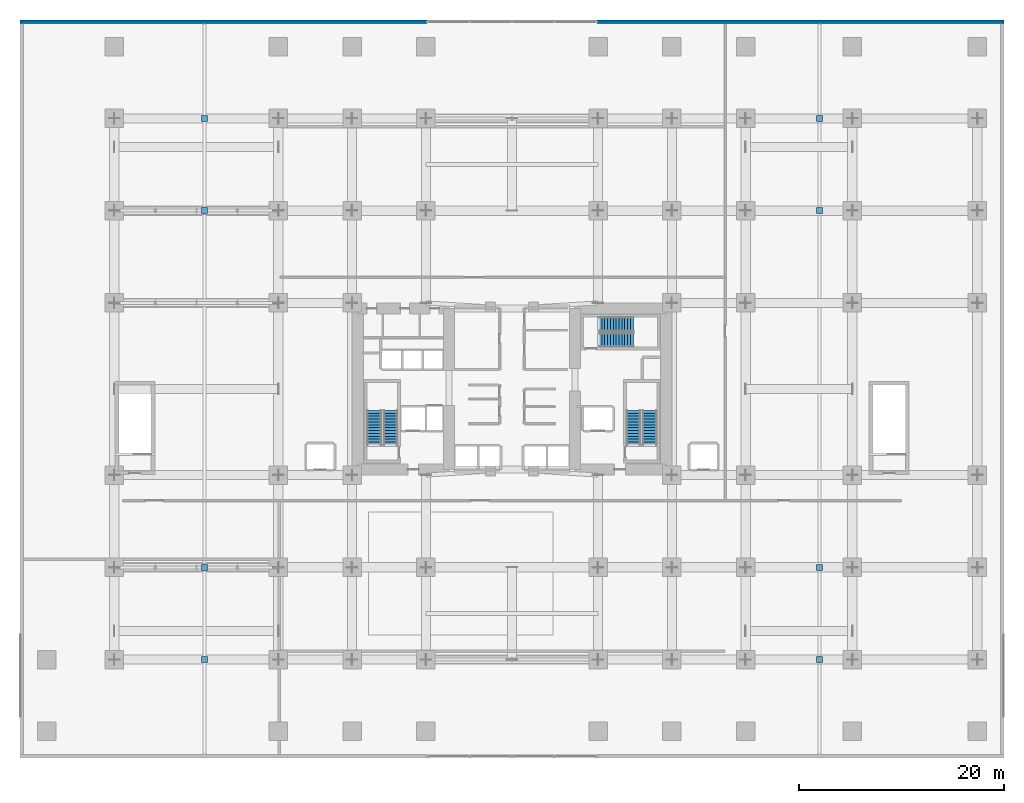
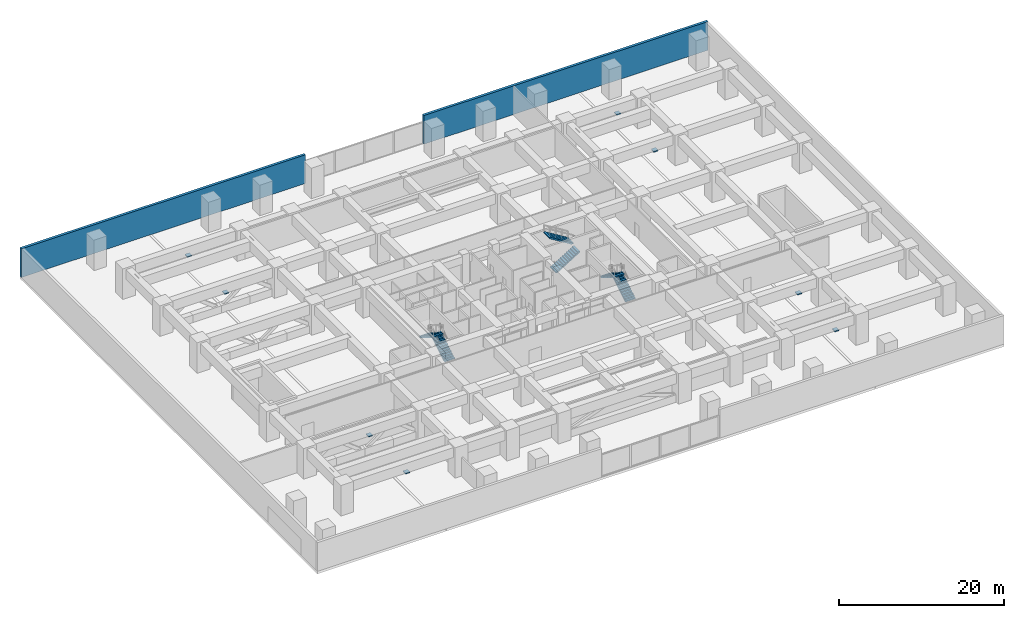
# One storey, part 20 of 25: 8 discrete accessories, 6 stair flights, 2 walls, 3 elements without a shape of their own.
"""IFC4 building model written with IfcOpenShell, lengths in metres."""

from ifc_helpers import new_model, si_unit, direction, frame, frame_2d, origin, origin_2d, place, context, subcontext, project, spatial, polyline, rectangle, outline, extrude, material, layer, layer_set, type_object, element, aggregate, save


model = new_model("IFC4")

# Units and contexts
model_context = context("Model", 3, precision=1e-05, world=origin(), true_north=direction((0.0, 1.0)))
body_context = subcontext(model_context, "Body", "Model", "MODEL_VIEW")
ifc_project = project(units=[si_unit("LENGTHUNIT", "METRE"), si_unit("AREAUNIT", "SQUARE_METRE"), si_unit("VOLUMEUNIT", "CUBIC_METRE"), si_unit("PLANEANGLEUNIT", "RADIAN"), si_unit("MASSUNIT", "GRAM", prefix="KILO")], contexts=[model_context])

# Site, building, storey
site_placement = place(None, origin())
site = spatial("IfcSite", under=ifc_project, at=site_placement, CompositionType="ELEMENT")
building_placement = place(site_placement, origin())
building = spatial("IfcBuilding", under=site, at=building_placement, Name="Kiyonajd Concourse Tower", CompositionType="ELEMENT")
storey_placement = place(building_placement, frame((0.0, 0.0, 17.10009765625)))
storey = spatial("IfcBuildingStorey", under=building, at=storey_placement, Name="L05", CompositionType="ELEMENT", Elevation=17.10009765625)

# Walls
ifc_material_1 = material(Name="Precast concrete C50/60", Category="concrete")
ifc_layer = layer(ifc_material_1, 0.360107421875)
ifc_layer_set = layer_set([ifc_layer], Name="Precast concrete C50/60")
wall_type = type_object("IfcWallType", Name="WL-EXT-360", PredefinedType="SOLIDWALL", material=ifc_layer_set)
for number, where, z_axis, x_axis, name in (
    (1, (0.0, 71.820068359375, 0.0), (0.0, 0.0, 1.0), (1.0, 0.0, 0.0), "L05 North West Podium Facade Wall"),
    (2, (56.280029296875, 71.820068359375, 0.0), (0.0, 0.0, 1.0), (1.0, 0.0, 0.0), "L05 North East Podium Facade Wall"),
):
    element("IfcWall", number, at=place(storey_placement, frame(where, z_axis=z_axis, x_axis=x_axis)), inside=storey, type_object=wall_type, Name=name, PredefinedType="SOLIDWALL", context=body_context, shape_type="SweptSolid", body=[
        extrude(rectangle(XDim=39.719970703125, YDim=0.360107421875, at=frame_2d((19.85986328125, 0.0))), origin(), (0.0, 0.0, 1.0), 4.239990234375),
    ])

# Stair, stair flights
ifc_material_2 = material(Name="Concrete C40/50", Category="concrete")
stair_type = type_object("IfcStairType", Name="ST-DLG-26R", PredefinedType="HALF_TURN_STAIR", material=ifc_material_2)
stair_1_placement = place(storey_placement, origin())
stair_1 = element("IfcStair", 3, at=stair_1_placement, inside=storey, type_object=stair_type, Name="L05 Protected Exit Stair ST1", PredefinedType="HALF_TURN_STAIR")
stair_flight_type = type_object("IfcStairFlightType", Name="SF-STR-26R", PredefinedType="STRAIGHT", material=ifc_material_2)
stair_flight_1_placement = place(storey_placement, frame((36.14990234375, 30.550048828125, 0.0), z_axis=(0.0, 0.0, 1.0), x_axis=(0.0, 1.0, 0.0)))
stair_flight_1 = element("IfcStairFlight", 4, at=stair_flight_1_placement, type_object=stair_flight_type, Name="ST1 flight 1", NumberOfRisers=13, NumberOfTreads=12, PredefinedType="STRAIGHT", RiserHeight=0.173076923, TreadLength=0.28, context=body_context, shape_type="SweptSolid", body=[
    extrude(outline(polyline([(0.0, 0.0), (0.0, 0.173095703125), (0.280029296875, 0.173095703125), (0.280029296875, 0.34619140625), (0.56005859375, 0.34619140625), (0.56005859375, 0.519287109375), (0.840087890625, 0.519287109375), (0.840087890625, 0.6923828125), (1.1201171875, 0.6923828125), (1.1201171875, 0.865478515625), (1.39990234375, 0.865478515625), (1.39990234375, 1.03857421875), (1.679931640625, 1.03857421875), (1.679931640625, 1.21142578125), (1.9599609375, 1.21142578125), (1.9599609375, 1.384521484375), (2.239990234375, 1.384521484375), (2.239990234375, 1.5576171875), (2.52001953125, 1.5576171875), (2.52001953125, 1.730712890625), (2.800048828125, 1.730712890625), (2.800048828125, 1.90380859375), (3.080078125, 1.90380859375), (3.080078125, 2.076904296875), (3.360107421875, 2.076904296875), (3.360107421875, 2.25), (3.360107421875, 1.900634765625), (0.28515625, 0.0), (0.0, 0.0)])), frame((0.0, 0.699951171875, 0.0), z_axis=(0.0, -1.0, 0.0), x_axis=(1.0, 0.0, 0.0)), (0.0, 0.0, 1.0), 1.39990234375),
])
stair_flight_2_placement = place(storey_placement, frame((34.550048828125, 33.909912109375, 2.25), z_axis=(0.0, 0.0, 1.0), x_axis=(0.0, -1.0, 0.0)))
stair_flight_2 = element("IfcStairFlight", 5, at=stair_flight_2_placement, type_object=stair_flight_type, Name="ST1 flight 2", NumberOfRisers=13, NumberOfTreads=12, PredefinedType="STRAIGHT", RiserHeight=0.173076923, TreadLength=0.28, context=body_context, shape_type="SweptSolid", body=[
    extrude(outline(polyline([(0.0, 0.0), (0.0, 0.173095703125), (0.280029296875, 0.173095703125), (0.280029296875, 0.34619140625), (0.56005859375, 0.34619140625), (0.56005859375, 0.519287109375), (0.840087890625, 0.519287109375), (0.840087890625, 0.6923828125), (1.1201171875, 0.6923828125), (1.1201171875, 0.865478515625), (1.39990234375, 0.865478515625), (1.39990234375, 1.03857421875), (1.679931640625, 1.03857421875), (1.679931640625, 1.21142578125), (1.9599609375, 1.21142578125), (1.9599609375, 1.384521484375), (2.239990234375, 1.384521484375), (2.239990234375, 1.5576171875), (2.52001953125, 1.5576171875), (2.52001953125, 1.730712890625), (2.800048828125, 1.730712890625), (2.800048828125, 1.90380859375), (3.080078125, 1.90380859375), (3.080078125, 2.076904296875), (3.360107421875, 2.076904296875), (3.360107421875, 2.25), (3.360107421875, 1.900634765625), (0.28515625, 0.0), (0.0, 0.0)])), frame((0.0, 0.699951171875, 0.0), z_axis=(0.0, -1.0, 0.0), x_axis=(1.0, 0.0, 0.0)), (0.0, 0.0, 1.0), 1.39990234375),
])
aggregate(stair_1, [stair_flight_1, stair_flight_2])

stair_2_placement = place(storey_placement, origin())
stair_2 = element("IfcStair", 6, at=stair_2_placement, inside=storey, type_object=stair_type, Name="L05 Protected Exit Stair ST2", PredefinedType="HALF_TURN_STAIR")
stair_flight_3_placement = place(storey_placement, frame((61.449951171875, 30.550048828125, 0.0), z_axis=(0.0, 0.0, 1.0), x_axis=(0.0, 1.0, 0.0)))
stair_flight_3 = element("IfcStairFlight", 7, at=stair_flight_3_placement, type_object=stair_flight_type, Name="ST2 flight 1", NumberOfRisers=13, NumberOfTreads=12, PredefinedType="STRAIGHT", RiserHeight=0.173076923, TreadLength=0.28, context=body_context, shape_type="SweptSolid", body=[
    extrude(outline(polyline([(0.0, 0.0), (0.0, 0.173095703125), (0.280029296875, 0.173095703125), (0.280029296875, 0.34619140625), (0.56005859375, 0.34619140625), (0.56005859375, 0.519287109375), (0.840087890625, 0.519287109375), (0.840087890625, 0.6923828125), (1.1201171875, 0.6923828125), (1.1201171875, 0.865478515625), (1.39990234375, 0.865478515625), (1.39990234375, 1.03857421875), (1.679931640625, 1.03857421875), (1.679931640625, 1.21142578125), (1.9599609375, 1.21142578125), (1.9599609375, 1.384521484375), (2.239990234375, 1.384521484375), (2.239990234375, 1.5576171875), (2.52001953125, 1.5576171875), (2.52001953125, 1.730712890625), (2.800048828125, 1.730712890625), (2.800048828125, 1.90380859375), (3.080078125, 1.90380859375), (3.080078125, 2.076904296875), (3.360107421875, 2.076904296875), (3.360107421875, 2.25), (3.360107421875, 1.900634765625), (0.28515625, 0.0), (0.0, 0.0)])), frame((0.0, 0.699951171875, 0.0), z_axis=(0.0, -1.0, 0.0), x_axis=(1.0, 0.0, 0.0)), (0.0, 0.0, 1.0), 1.39990234375),
])
stair_flight_4_placement = place(storey_placement, frame((59.85009765625, 33.909912109375, 2.25), z_axis=(0.0, 0.0, 1.0), x_axis=(0.0, -1.0, 0.0)))
stair_flight_4 = element("IfcStairFlight", 8, at=stair_flight_4_placement, type_object=stair_flight_type, Name="ST2 flight 2", NumberOfRisers=13, NumberOfTreads=12, PredefinedType="STRAIGHT", RiserHeight=0.173076923, TreadLength=0.28, context=body_context, shape_type="SweptSolid", body=[
    extrude(outline(polyline([(0.0, 0.0), (0.0, 0.173095703125), (0.280029296875, 0.173095703125), (0.280029296875, 0.34619140625), (0.56005859375, 0.34619140625), (0.56005859375, 0.519287109375), (0.840087890625, 0.519287109375), (0.840087890625, 0.6923828125), (1.1201171875, 0.6923828125), (1.1201171875, 0.865478515625), (1.39990234375, 0.865478515625), (1.39990234375, 1.03857421875), (1.679931640625, 1.03857421875), (1.679931640625, 1.21142578125), (1.9599609375, 1.21142578125), (1.9599609375, 1.384521484375), (2.239990234375, 1.384521484375), (2.239990234375, 1.5576171875), (2.52001953125, 1.5576171875), (2.52001953125, 1.730712890625), (2.800048828125, 1.730712890625), (2.800048828125, 1.90380859375), (3.080078125, 1.90380859375), (3.080078125, 2.076904296875), (3.360107421875, 2.076904296875), (3.360107421875, 2.25), (3.360107421875, 1.900634765625), (0.28515625, 0.0), (0.0, 0.0)])), frame((0.0, 0.699951171875, 0.0), z_axis=(0.0, -1.0, 0.0), x_axis=(1.0, 0.0, 0.0)), (0.0, 0.0, 1.0), 1.39990234375),
])
aggregate(stair_2, [stair_flight_3, stair_flight_4])

stair_3_placement = place(storey_placement, origin())
stair_3 = element("IfcStair", 9, at=stair_3_placement, inside=storey, type_object=stair_type, Name="L05 Protected Exit Stair ST3", PredefinedType="HALF_TURN_STAIR")
stair_flight_5_placement = place(storey_placement, frame((56.47998046875, 40.780029296875, 0.0), z_axis=(0.0, 0.0, 1.0), x_axis=(1.0, 0.0, 0.0)))
stair_flight_5 = element("IfcStairFlight", 10, at=stair_flight_5_placement, type_object=stair_flight_type, Name="ST3 flight 1", NumberOfRisers=13, NumberOfTreads=12, PredefinedType="STRAIGHT", RiserHeight=0.173076923, TreadLength=0.28, context=body_context, shape_type="SweptSolid", body=[
    extrude(outline(polyline([(0.0, 0.0), (0.0, 0.173095703125), (0.280029296875, 0.173095703125), (0.280029296875, 0.34619140625), (0.56005859375, 0.34619140625), (0.56005859375, 0.519287109375), (0.840087890625, 0.519287109375), (0.840087890625, 0.6923828125), (1.1201171875, 0.6923828125), (1.1201171875, 0.865478515625), (1.39990234375, 0.865478515625), (1.39990234375, 1.03857421875), (1.679931640625, 1.03857421875), (1.679931640625, 1.21142578125), (1.9599609375, 1.21142578125), (1.9599609375, 1.384521484375), (2.239990234375, 1.384521484375), (2.239990234375, 1.5576171875), (2.52001953125, 1.5576171875), (2.52001953125, 1.730712890625), (2.800048828125, 1.730712890625), (2.800048828125, 1.90380859375), (3.080078125, 1.90380859375), (3.080078125, 2.076904296875), (3.360107421875, 2.076904296875), (3.360107421875, 2.25), (3.360107421875, 1.900634765625), (0.28515625, 0.0), (0.0, 0.0)])), frame((0.0, 0.699951171875, 0.0), z_axis=(0.0, -1.0, 0.0), x_axis=(1.0, 0.0, 0.0)), (0.0, 0.0, 1.0), 1.39990234375),
])
stair_flight_6_placement = place(storey_placement, frame((59.840087890625, 42.320068359375, 2.25), z_axis=(0.0, 0.0, 1.0), x_axis=(-1.0, 0.0, 0.0)))
stair_flight_6 = element("IfcStairFlight", 11, at=stair_flight_6_placement, type_object=stair_flight_type, Name="ST3 flight 2", NumberOfRisers=13, NumberOfTreads=12, PredefinedType="STRAIGHT", RiserHeight=0.173076923, TreadLength=0.28, context=body_context, shape_type="SweptSolid", body=[
    extrude(outline(polyline([(0.0, 0.0), (0.0, 0.173095703125), (0.280029296875, 0.173095703125), (0.280029296875, 0.34619140625), (0.56005859375, 0.34619140625), (0.56005859375, 0.519287109375), (0.840087890625, 0.519287109375), (0.840087890625, 0.6923828125), (1.1201171875, 0.6923828125), (1.1201171875, 0.865478515625), (1.39990234375, 0.865478515625), (1.39990234375, 1.03857421875), (1.679931640625, 1.03857421875), (1.679931640625, 1.21142578125), (1.9599609375, 1.21142578125), (1.9599609375, 1.384521484375), (2.239990234375, 1.384521484375), (2.239990234375, 1.5576171875), (2.52001953125, 1.5576171875), (2.52001953125, 1.730712890625), (2.800048828125, 1.730712890625), (2.800048828125, 1.90380859375), (3.080078125, 1.90380859375), (3.080078125, 2.076904296875), (3.360107421875, 2.076904296875), (3.360107421875, 2.25), (3.360107421875, 1.900634765625), (0.28515625, 0.0), (0.0, 0.0)])), frame((0.0, 0.699951171875, 0.0), z_axis=(0.0, -1.0, 0.0), x_axis=(1.0, 0.0, 0.0)), (0.0, 0.0, 1.0), 1.39990234375),
])
aggregate(stair_3, [stair_flight_5, stair_flight_6])

# Discrete accessories
ifc_material_3 = material(Name="Steel ASTM A572 Grade 50", Category="steel")
discrete_accessory_type = type_object("IfcDiscreteAccessoryType", Name="DA-BRK-MJ1", PredefinedType="BRACKET", material=ifc_material_3)
for number, where, z_axis, x_axis, name in (
    (12, (18.0, 9.60009765625, 2.53515625), (0.0, 0.0, 1.0), (1.0, 0.0, 0.0), "Podium Movement Joint Sliding Bearing MJ1 01"),
    (13, (18.0, 18.60009765625, 2.53515625), (0.0, 0.0, 1.0), (1.0, 0.0, 0.0), "Podium Movement Joint Sliding Bearing MJ1 02"),
    (14, (18.0, 53.39990234375, 2.53515625), (0.0, 0.0, 1.0), (1.0, 0.0, 0.0), "Podium Movement Joint Sliding Bearing MJ1 03"),
    (15, (18.0, 62.39990234375, 2.53515625), (0.0, 0.0, 1.0), (1.0, 0.0, 0.0), "Podium Movement Joint Sliding Bearing MJ1 04"),
    (16, (78.0, 9.60009765625, 2.53515625), (0.0, 0.0, 1.0), (1.0, 0.0, 0.0), "Podium Movement Joint Sliding Bearing MJ1 05"),
    (17, (78.0, 18.60009765625, 2.53515625), (0.0, 0.0, 1.0), (1.0, 0.0, 0.0), "Podium Movement Joint Sliding Bearing MJ1 06"),
    (18, (78.0, 53.39990234375, 2.53515625), (0.0, 0.0, 1.0), (1.0, 0.0, 0.0), "Podium Movement Joint Sliding Bearing MJ1 07"),
    (19, (78.0, 62.39990234375, 2.53515625), (0.0, 0.0, 1.0), (1.0, 0.0, 0.0), "Podium Movement Joint Sliding Bearing MJ1 08"),
):
    element("IfcDiscreteAccessory", number, at=place(storey_placement, frame(where, z_axis=z_axis, x_axis=x_axis)), inside=storey, type_object=discrete_accessory_type, Name=name, PredefinedType="BRACKET", context=body_context, shape_type="SweptSolid", body=[
        extrude(rectangle(XDim=0.60009765625, YDim=0.60009765625, at=origin_2d()), origin(), (0.0, 0.0, 1.0), 0.159912109375),
    ])

save(model, "model.ifc")
